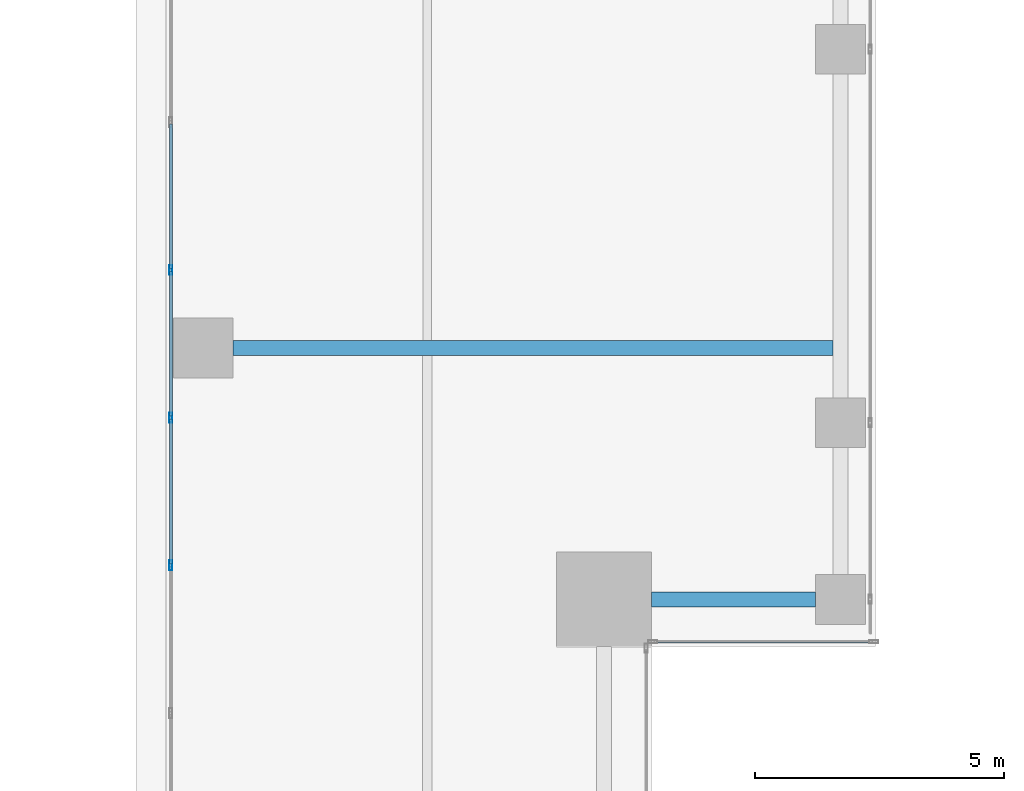
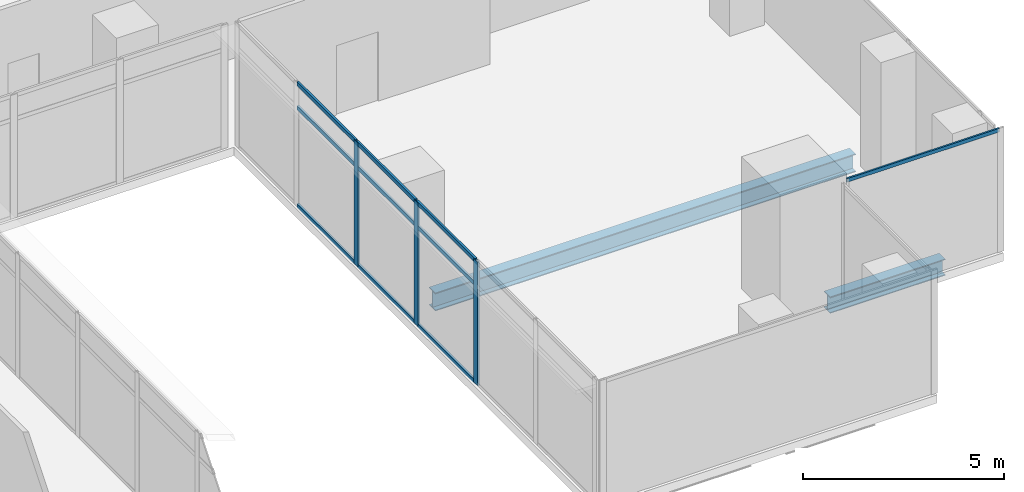
# One storey, part 10 of 40: 13 members, 2 beams, 2 elements without a shape of their own.
"""IFC4 building model written with IfcOpenShell, lengths in metres."""

from ifc_helpers import new_model, si_unit, direction, frame, origin, origin_2d, place, context, subcontext, project, spatial, hollow_rectangle, i_section, extrude, source, transform, mapped, material, material_profile, profile_set, type_object, element, aggregate, save


model = new_model("IFC4")

# Units and contexts
model_context = context("Model", 3, precision=1e-05, world=origin(), true_north=direction((0.0, 1.0)))
body_context = subcontext(model_context, "Body", "Model", "MODEL_VIEW")
ifc_project = project(units=[si_unit("LENGTHUNIT", "METRE"), si_unit("AREAUNIT", "SQUARE_METRE"), si_unit("VOLUMEUNIT", "CUBIC_METRE"), si_unit("PLANEANGLEUNIT", "RADIAN"), si_unit("MASSUNIT", "GRAM", prefix="KILO")], contexts=[model_context])

# Site, building, storey
site_placement = place(None, origin())
site = spatial("IfcSite", under=ifc_project, at=site_placement, CompositionType="ELEMENT")
building_placement = place(site_placement, origin())
building = spatial("IfcBuilding", under=site, at=building_placement, Name="Khomas Fold Tower", CompositionType="ELEMENT")
storey_placement = place(building_placement, frame((0.0, 0.0, 176.699951171875)))
storey = spatial("IfcBuildingStorey", under=building, at=storey_placement, Name="L38", CompositionType="ELEMENT", Elevation=176.699951171875)

# Beams
ifc_material_1 = material(Name="Steel S355", Category="steel")
ifc_material_profile_1 = material_profile(ifc_material_1, i_section(OverallWidth=0.300048828125, OverallDepth=0.5, WebThickness=0.014404296875, FlangeThickness=0.028076171875, at=origin_2d()), Name="HE 500 B")
ifc_profile_set_1 = profile_set([ifc_material_profile_1], Name="Steel S355")
beam_type_1 = type_object("IfcBeamType", Name="HE 500 B spandrel SB3", PredefinedType="SPANDREL", material=ifc_profile_set_1)
shared_shape_1 = source(origin(), body_context, "Body", "SweptSolid", [
    extrude(i_section(OverallWidth=0.300048828125, OverallDepth=0.5, WebThickness=0.014404296875, FlangeThickness=0.028076171875, at=origin_2d()), origin(), (0.0, 0.0, 1.0), 3.300048828125),
])
beam_1_placement = place(storey_placement, frame((46.5, 8.449951171875, -0.5), z_axis=(1.0, 0.0, 0.0), x_axis=(0.0, 1.0, 0.0)))
element("IfcBeam", 1, at=beam_1_placement, inside=storey, type_object=beam_type_1, Name="SB3", PredefinedType="SPANDREL", context=body_context, shape_type="MappedRepresentation", body=[
    mapped(shared_shape_1, transform((0.0, 0.0, 0.0))),
])
ifc_material_2 = material(Name="Steel S355", Category="steel")
ifc_material_profile_2 = material_profile(ifc_material_2, i_section(OverallWidth=0.300048828125, OverallDepth=0.550048828125, WebThickness=0.014892578125, FlangeThickness=0.029052734375, at=origin_2d()), Name="HE 550 B")
ifc_profile_set_2 = profile_set([ifc_material_profile_2], Name="Steel S355")
beam_type_2 = type_object("IfcBeamType", Name="HE 550 B beam GB4", PredefinedType="BEAM", material=ifc_profile_set_2)
shared_shape_2 = source(origin(), body_context, "Body", "SweptSolid", [
    extrude(i_section(OverallWidth=0.300048828125, OverallDepth=0.550048828125, WebThickness=0.014892578125, FlangeThickness=0.029052734375, at=origin_2d()), origin(), (0.0, 0.0, 1.0), 12.0498046875),
])
beam_2_placement = place(storey_placement, frame((38.10009765625, 13.5, -0.52490234375), z_axis=(1.0, 0.0, 0.0), x_axis=(0.0, 1.0, 0.0)))
element("IfcBeam", 2, at=beam_2_placement, inside=storey, type_object=beam_type_2, Name="GB4", PredefinedType="BEAM", context=body_context, shape_type="MappedRepresentation", body=[
    mapped(shared_shape_2, transform((0.0, 0.0, 0.0))),
])

# Curtain wall, member
ifc_material_3 = material(Name="Aluminium framed double glazing", Category="aluminium")
curtain_wall_type_1 = type_object("IfcCurtainWallType", Name="SK-Unitised clear-glass wall, office floors CW2", PredefinedType="NOTDEFINED", material=ifc_material_3)
curtain_wall_1_placement = place(storey_placement, origin())
curtain_wall_1 = element("IfcCurtainWall", 3, at=curtain_wall_1_placement, inside=storey, type_object=curtain_wall_type_1, Name="CW2 corner return L38 07", PredefinedType="NOTDEFINED")
ifc_material_4 = material(Name="Aluminium", Category="aluminium")
ifc_material_profile_3 = material_profile(ifc_material_4, hollow_rectangle(XDim=0.050048828125, YDim=0.110107421875, WallThickness=0.00390625, at=origin_2d()), Name="SK-Unitised clear-glass wall, office floors transom CW2-T")
ifc_profile_set_3 = profile_set([ifc_material_profile_3], Name="Aluminium")
member_type_1 = type_object("IfcMemberType", Name="SK-Unitised clear-glass wall, office floors transom CW2-T", PredefinedType="USERDEFINED", material=ifc_profile_set_3)
shared_shape_3 = source(origin(), body_context, "Body", "SweptSolid", [
    extrude(hollow_rectangle(XDim=0.050048828125, YDim=0.110107421875, WallThickness=0.00390625, at=origin_2d()), origin(), (0.0, 0.0, 1.0), 4.3798828125),
])
member_1_placement = place(storey_placement, frame((46.56005859375, 7.60009765625, 3.695068359375), z_axis=(1.0, 0.0, 0.0), x_axis=(0.0, 1.0, 0.0)))
member_1 = element("IfcMember", 4, at=member_1_placement, type_object=member_type_1, Name="CW2 transom 1", ObjectType="TRANSOM", PredefinedType="USERDEFINED", context=body_context, shape_type="MappedRepresentation", body=[
    mapped(shared_shape_3, transform((0.0, 0.0, 0.0))),
])
aggregate(curtain_wall_1, [member_1])

# Curtain wall, members
ifc_material_5 = material(Name="Aluminium framed double glazing", Category="aluminium")
curtain_wall_type_2 = type_object("IfcCurtainWallType", Name="Notch glazing GN-CW", PredefinedType="NOTDEFINED", material=ifc_material_5)
curtain_wall_2_placement = place(storey_placement, origin())
curtain_wall_2 = element("IfcCurtainWall", 5, at=curtain_wall_2_placement, inside=storey, type_object=curtain_wall_type_2, Name="Notch glazing run", PredefinedType="NOTDEFINED")
ifc_material_6 = material(Name="Aluminium", Category="aluminium")
ifc_material_profile_4 = material_profile(ifc_material_6, hollow_rectangle(XDim=0.06005859375, YDim=0.1201171875, WallThickness=0.00390625, at=origin_2d()), Name="Notch glazing transom GN-CW-T")
ifc_profile_set_4 = profile_set([ifc_material_profile_4], Name="Aluminium")
member_type_2 = type_object("IfcMemberType", Name="Notch glazing transom GN-CW-T", PredefinedType="USERDEFINED", material=ifc_profile_set_4)
shared_shape_4 = source(origin(), body_context, "Body", "SweptSolid", [
    extrude(hollow_rectangle(XDim=0.06005859375, YDim=0.1201171875, WallThickness=0.00390625, at=origin_2d()), origin(), (0.0, 0.0, 1.0), 2.90673828125),
])
member_2_placement = place(storey_placement, frame((36.85009765625, 18.00341796875, 0.030029296875), z_axis=(0.0, -1.0, 0.0), x_axis=(1.0, 0.0, 0.0)))
member_2 = element("IfcMember", 6, at=member_2_placement, type_object=member_type_2, Name="GN-CW transom 2.1", ObjectType="TRANSOM", PredefinedType="USERDEFINED", context=body_context, shape_type="MappedRepresentation", body=[
    mapped(shared_shape_4, transform((0.0, 0.0, 0.0))),
])
member_3_placement = place(storey_placement, frame((36.85009765625, 18.00341796875, 3.0), z_axis=(0.0, -1.0, 0.0), x_axis=(1.0, 0.0, 0.0)))
member_3 = element("IfcMember", 7, at=member_3_placement, type_object=member_type_2, Name="GN-CW transom 2.2", ObjectType="TRANSOM", PredefinedType="USERDEFINED", context=body_context, shape_type="MappedRepresentation", body=[
    mapped(shared_shape_4, transform((0.0, 0.0, 0.0))),
])
member_4_placement = place(storey_placement, frame((36.85009765625, 18.00341796875, 3.719970703125), z_axis=(0.0, -1.0, 0.0), x_axis=(1.0, 0.0, 0.0)))
member_4 = element("IfcMember", 8, at=member_4_placement, type_object=member_type_2, Name="GN-CW transom 2.3", ObjectType="TRANSOM", PredefinedType="USERDEFINED", context=body_context, shape_type="MappedRepresentation", body=[
    mapped(shared_shape_4, transform((0.0, 0.0, 0.0))),
])
member_5_placement = place(storey_placement, frame((36.85009765625, 15.03662109375, 0.030029296875), z_axis=(0.0, -1.0, 0.0), x_axis=(1.0, 0.0, 0.0)))
member_5 = element("IfcMember", 9, at=member_5_placement, type_object=member_type_2, Name="GN-CW transom 3.1", ObjectType="TRANSOM", PredefinedType="USERDEFINED", context=body_context, shape_type="MappedRepresentation", body=[
    mapped(shared_shape_4, transform((0.0, 0.0, 0.0))),
])
member_6_placement = place(storey_placement, frame((36.85009765625, 15.03662109375, 3.0), z_axis=(0.0, -1.0, 0.0), x_axis=(1.0, 0.0, 0.0)))
member_6 = element("IfcMember", 10, at=member_6_placement, type_object=member_type_2, Name="GN-CW transom 3.2", ObjectType="TRANSOM", PredefinedType="USERDEFINED", context=body_context, shape_type="MappedRepresentation", body=[
    mapped(shared_shape_4, transform((0.0, 0.0, 0.0))),
])
member_7_placement = place(storey_placement, frame((36.85009765625, 15.03662109375, 3.719970703125), z_axis=(0.0, -1.0, 0.0), x_axis=(1.0, 0.0, 0.0)))
member_7 = element("IfcMember", 11, at=member_7_placement, type_object=member_type_2, Name="GN-CW transom 3.3", ObjectType="TRANSOM", PredefinedType="USERDEFINED", context=body_context, shape_type="MappedRepresentation", body=[
    mapped(shared_shape_4, transform((0.0, 0.0, 0.0))),
])
member_8_placement = place(storey_placement, frame((36.85009765625, 12.070068359375, 0.030029296875), z_axis=(0.0, -1.0, 0.0), x_axis=(1.0, 0.0, 0.0)))
member_8 = element("IfcMember", 12, at=member_8_placement, type_object=member_type_2, Name="GN-CW transom 4.1", ObjectType="TRANSOM", PredefinedType="USERDEFINED", context=body_context, shape_type="MappedRepresentation", body=[
    mapped(shared_shape_4, transform((0.0, 0.0, 0.0))),
])
member_9_placement = place(storey_placement, frame((36.85009765625, 12.070068359375, 3.0), z_axis=(0.0, -1.0, 0.0), x_axis=(1.0, 0.0, 0.0)))
member_9 = element("IfcMember", 13, at=member_9_placement, type_object=member_type_2, Name="GN-CW transom 4.2", ObjectType="TRANSOM", PredefinedType="USERDEFINED", context=body_context, shape_type="MappedRepresentation", body=[
    mapped(shared_shape_4, transform((0.0, 0.0, 0.0))),
])
member_10_placement = place(storey_placement, frame((36.85009765625, 12.070068359375, 3.719970703125), z_axis=(0.0, -1.0, 0.0), x_axis=(1.0, 0.0, 0.0)))
member_10 = element("IfcMember", 14, at=member_10_placement, type_object=member_type_2, Name="GN-CW transom 4.3", ObjectType="TRANSOM", PredefinedType="USERDEFINED", context=body_context, shape_type="MappedRepresentation", body=[
    mapped(shared_shape_4, transform((0.0, 0.0, 0.0))),
])
ifc_material_7 = material(Name="Aluminium", Category="aluminium")
ifc_material_profile_5 = material_profile(ifc_material_7, hollow_rectangle(XDim=0.06005859375, YDim=0.199951171875, WallThickness=0.00390625, at=origin_2d()), Name="Notch glazing mullion GN-CW-M")
ifc_profile_set_5 = profile_set([ifc_material_profile_5], Name="Aluminium")
member_type_3 = type_object("IfcMemberType", Name="Notch glazing mullion GN-CW-M", PredefinedType="MULLION", material=ifc_profile_set_5)
shared_shape_5 = source(origin(), body_context, "Body", "SweptSolid", [
    extrude(hollow_rectangle(XDim=0.06005859375, YDim=0.199951171875, WallThickness=0.00390625, at=origin_2d()), origin(), (0.0, 0.0, 1.0), 3.75),
])
member_11_placement = place(storey_placement, frame((36.85009765625, 15.066650390625, 0.0), z_axis=(0.0, 0.0, 1.0), x_axis=(1.0, 0.0, 0.0)))
member_11 = element("IfcMember", 15, at=member_11_placement, type_object=member_type_3, Name="GN-CW mullion 3", PredefinedType="MULLION", context=body_context, shape_type="MappedRepresentation", body=[
    mapped(shared_shape_5, transform((0.0, 0.0, 0.0))),
])
member_12_placement = place(storey_placement, frame((36.85009765625, 12.10009765625, 0.0), z_axis=(0.0, 0.0, 1.0), x_axis=(1.0, 0.0, 0.0)))
member_12 = element("IfcMember", 16, at=member_12_placement, type_object=member_type_3, Name="GN-CW mullion 4", PredefinedType="MULLION", context=body_context, shape_type="MappedRepresentation", body=[
    mapped(shared_shape_5, transform((0.0, 0.0, 0.0))),
])
member_13_placement = place(storey_placement, frame((36.85009765625, 9.13330078125, 0.0), z_axis=(0.0, 0.0, 1.0), x_axis=(1.0, 0.0, 0.0)))
member_13 = element("IfcMember", 17, at=member_13_placement, type_object=member_type_3, Name="GN-CW mullion 5", PredefinedType="MULLION", context=body_context, shape_type="MappedRepresentation", body=[
    mapped(shared_shape_5, transform((0.0, 0.0, 0.0))),
])
aggregate(curtain_wall_2, [member_11, member_12, member_13, member_2, member_3, member_4, member_5, member_6, member_7, member_8, member_9, member_10])

save(model, "model.ifc")
